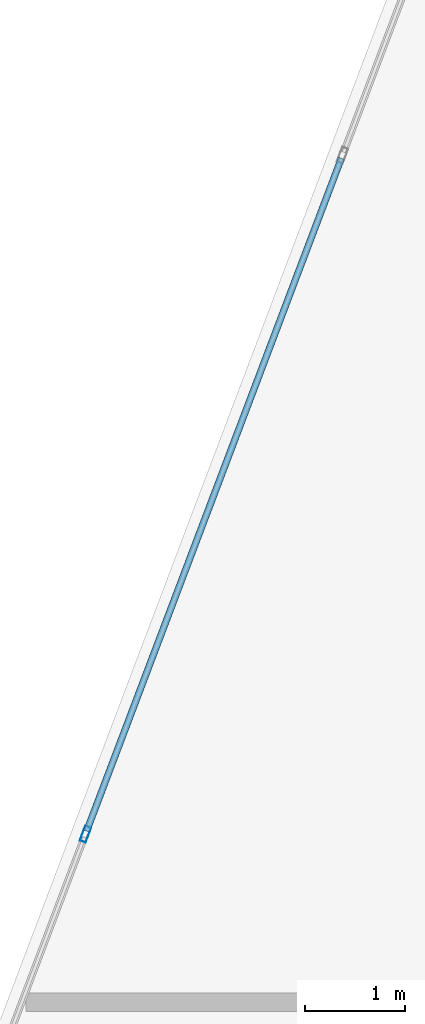
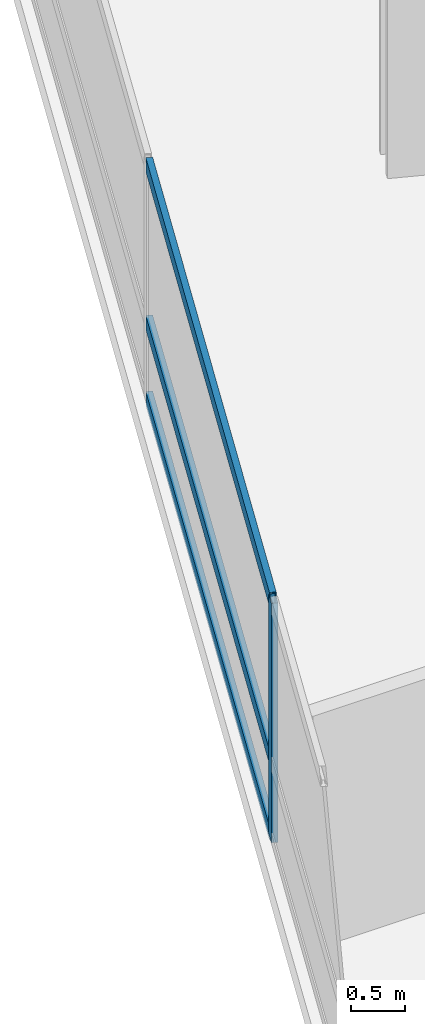
# One storey, part 4 of 25: 4 members, 1 element without a shape of its own.
"""IFC4 building model written with IfcOpenShell, lengths in metres."""

from ifc_helpers import new_model, si_unit, direction, frame, origin, origin_2d, place, context, subcontext, project, spatial, hollow_rectangle, extrude, material, layer, layer_set, material_profile, profile_set, type_object, element, aggregate, save


model = new_model("IFC4")

# Units and contexts
model_context = context("Model", 3, precision=1e-05, world=origin(), true_north=direction((0.0, 1.0)))
body_context = subcontext(model_context, "Body", "Model", "MODEL_VIEW")
ifc_project = project(units=[si_unit("LENGTHUNIT", "METRE"), si_unit("AREAUNIT", "SQUARE_METRE"), si_unit("VOLUMEUNIT", "CUBIC_METRE"), si_unit("PLANEANGLEUNIT", "RADIAN"), si_unit("MASSUNIT", "GRAM", prefix="KILO")], contexts=[model_context])

# Site, building, storey
site_placement = place(None, origin())
site = spatial("IfcSite", under=ifc_project, at=site_placement, CompositionType="ELEMENT")
building_placement = place(site_placement, origin())
building = spatial("IfcBuilding", under=site, at=building_placement, Name="Varnelok Gate Tower", CompositionType="ELEMENT")
storey_placement = place(building_placement, frame((0.0, 0.0, 83.60009765625)))
storey = spatial("IfcBuildingStorey", under=building, at=storey_placement, Name="L20", CompositionType="ELEMENT", Elevation=83.60009765625)

# Curtain wall, members
ifc_material = material(Name="Anodized Aluminum Alloy 6063-T6", Category="aluminium")
ifc_layer = layer(ifc_material, 0.179931640625)
ifc_layer_set = layer_set([ifc_layer], Name="Anodized Aluminum Alloy 6063-T6")
curtain_wall_type = type_object("IfcCurtainWallType", Name="CW3-HOTEL-VISION", PredefinedType="USERDEFINED", material=ifc_layer_set)
curtain_wall_placement = place(storey_placement, origin())
curtain_wall = element("IfcCurtainWall", 1, at=curtain_wall_placement, inside=storey, type_object=curtain_wall_type, Name="L20 West End Vision Curtain Wall", ObjectType="UNITISED CURTAIN WALL", PredefinedType="USERDEFINED")
ifc_material_profile_1 = material_profile(ifc_material, hollow_rectangle(XDim=0.06494140625, YDim=0.159912109375, WallThickness=0.00390625, at=origin_2d()), Name="ALU160X65X4")
ifc_profile_set_1 = profile_set([ifc_material_profile_1], Name="Anodized Aluminum Alloy 6063-T6")
member_type_1 = type_object("IfcMemberType", Name="CW-MULL-160", PredefinedType="MULLION", material=ifc_profile_set_1)
member_1_placement = place(storey_placement, frame((0.508544921875, 28.3359375, 0.0), z_axis=(0.0, 0.0, 1.0), x_axis=(-0.935221323688, 0.354063660545, 0.0)))
member_1 = element("IfcMember", 2, at=member_1_placement, type_object=member_type_1, Name="CW3 mullion 2", PredefinedType="MULLION", context=body_context, shape_type="SweptSolid", body=[
    extrude(hollow_rectangle(XDim=0.06494140625, YDim=0.159912109375, WallThickness=0.00390625, at=origin_2d()), origin(), (0.0, 0.0, 1.0), 2.72998046875),
])
ifc_material_profile_2 = material_profile(ifc_material, hollow_rectangle(XDim=0.06494140625, YDim=0.159912109375, WallThickness=0.00390625, at=origin_2d()), Name="ALU160X65X4")
ifc_profile_set_2 = profile_set([ifc_material_profile_2], Name="Anodized Aluminum Alloy 6063-T6")
member_type_2 = type_object("IfcMemberType", Name="CW-TRAN-160", PredefinedType="USERDEFINED", material=ifc_profile_set_2)
member_2_placement = place(storey_placement, frame((0.52001953125, 28.3662109375, 0.032470703125), z_axis=(0.354078724634, 0.935215620465, 0.0), x_axis=(-0.935215620465, 0.354078724634, 0.0)))
member_2 = element("IfcMember", 3, at=member_2_placement, type_object=member_type_2, Name="CW3 transom 2.1", ObjectType="TRANSOM", PredefinedType="USERDEFINED", context=body_context, shape_type="SweptSolid", body=[
    extrude(hollow_rectangle(XDim=0.06494140625, YDim=0.159912109375, WallThickness=0.00390625, at=origin_2d()), origin(), (0.0, 0.0, 1.0), 7.175048828125),
])
member_3_placement = place(storey_placement, frame((0.52001953125, 28.3662109375, 0.89990234375), z_axis=(0.354078724634, 0.935215620465, 0.0), x_axis=(-0.935215620465, 0.354078724634, 0.0)))
member_3 = element("IfcMember", 4, at=member_3_placement, type_object=member_type_2, Name="CW3 transom 2.2", ObjectType="TRANSOM", PredefinedType="USERDEFINED", context=body_context, shape_type="SweptSolid", body=[
    extrude(hollow_rectangle(XDim=0.06494140625, YDim=0.159912109375, WallThickness=0.00390625, at=origin_2d()), origin(), (0.0, 0.0, 1.0), 7.175048828125),
])
member_4_placement = place(storey_placement, frame((0.52001953125, 28.3662109375, 2.697509765625), z_axis=(0.354078724634, 0.935215620465, 0.0), x_axis=(-0.935215620465, 0.354078724634, 0.0)))
member_4 = element("IfcMember", 5, at=member_4_placement, type_object=member_type_2, Name="CW3 transom 2.3", ObjectType="TRANSOM", PredefinedType="USERDEFINED", context=body_context, shape_type="SweptSolid", body=[
    extrude(hollow_rectangle(XDim=0.06494140625, YDim=0.159912109375, WallThickness=0.00390625, at=origin_2d()), origin(), (0.0, 0.0, 1.0), 7.175048828125),
])
aggregate(curtain_wall, [member_1, member_2, member_3, member_4])

save(model, "model.ifc")
